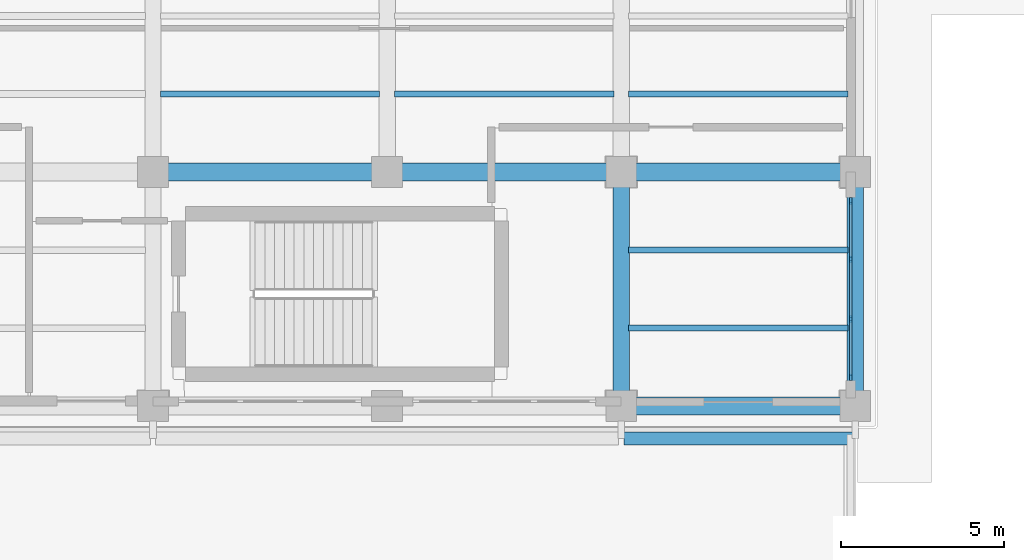
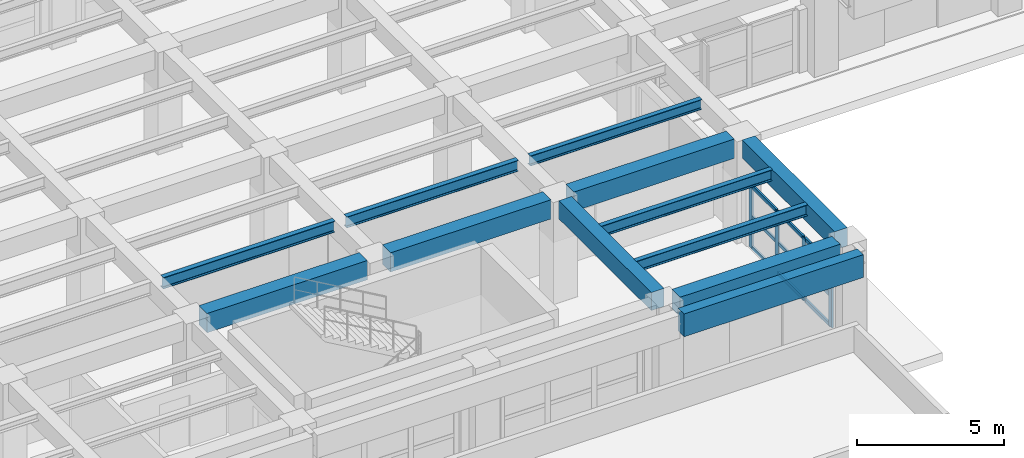
# One storey, part 13 of 64: 13 members, 12 beams, 1 element without a shape of its own.
"""IFC4 building model written with IfcOpenShell, lengths in metres."""

import ifcopenshell
import ifcopenshell.guid

model = None  # the IFC model being written
_history = None  # IfcOwnerHistory: only IFC2X3 demands one
_inside = {}  # id of a spatial element -> (the spatial element, [elements in it])
_under = {}  # id of a project, library or spatial element -> (it, [spatial elements below it])
_declared = {}  # id of a project -> (the project, [libraries it declares])
_typed = {}  # id of a type object -> (the type object, [elements of that type])
_made_of = {}  # id of a material, layer set ... -> (it, [elements and type objects made of it])


def new_model(schema):
    """Start an empty IFC model of exactly this schema.

    Asked for "IFC4X3", IfcOpenShell would pick the latest addendum, in which some entities
    have other attributes; the version numbers below select the first issue.
    IFC2X3 requires an IfcOwnerHistory on every rooted entity: one is made here for all.
    """
    global model, _history
    if schema == "IFC4X3":
        model = ifcopenshell.file(schema_version=(4, 3, 0, 0))
    else:
        model = ifcopenshell.file(schema=schema)
    _inside.clear()
    _under.clear()
    _declared.clear()
    _typed.clear()
    _made_of.clear()
    _history = None
    if model.schema == "IFC2X3":
        org = make("IfcOrganization", Name="unknown")
        user = make(
            "IfcPersonAndOrganization",
            ThePerson=make("IfcPerson", FamilyName="unknown"),
            TheOrganization=org,
        )
        app = make(
            "IfcApplication",
            ApplicationDeveloper=org,
            Version="unknown",
            ApplicationFullName="unknown",
            ApplicationIdentifier="unknown",
        )
        _history = make(
            "IfcOwnerHistory",
            OwningUser=user,
            OwningApplication=app,
            ChangeAction="ADDED",
            CreationDate=0,
        )
    return model


def make(cls, **values):
    """One entity of the class cls with the attributes given. An attribute that is None is left unset."""
    return model.create_entity(
        cls, **{name: value for name, value in values.items() if value is not None}
    )


def rooted(cls, **values):
    """An entity with a GlobalId (a new one), such as an element, a storey or a relation."""
    return make(cls, GlobalId=ifcopenshell.guid.new(), OwnerHistory=_history, **values)


def si_unit(unit_type, name, prefix=None):
    """IfcSIUnit, for example si_unit("LENGTHUNIT", "METRE", prefix="MILLI")."""
    return make("IfcSIUnit", UnitType=unit_type, Prefix=prefix, Name=name)


def assignment(units):
    """IfcUnitAssignment: the units of a project."""
    return None if units is None else make("IfcUnitAssignment", Units=units)


def point(xyz):
    """IfcCartesianPoint."""
    return None if xyz is None else make("IfcCartesianPoint", Coordinates=xyz)


def direction(xyz):
    """IfcDirection."""
    return None if xyz is None else make("IfcDirection", DirectionRatios=xyz)


def frame(location, z_axis=None, x_axis=None):
    """IfcAxis2Placement3D, a coordinate frame: its origin and axes. An axis left out is left unset."""
    return make(
        "IfcAxis2Placement3D",
        Location=point(location),
        Axis=direction(z_axis),
        RefDirection=direction(x_axis),
    )


def frame_2d(location, x_axis=None):
    """IfcAxis2Placement2D, a coordinate frame in the plane: its origin and x axis."""
    return make(
        "IfcAxis2Placement2D", Location=point(location), RefDirection=direction(x_axis)
    )


def origin():
    """The frame at (0, 0, 0) with its axes left unset."""
    return frame((0.0, 0.0, 0.0))


def origin_2d():
    """The frame at (0, 0) in the plane with its x axis left unset."""
    return frame_2d((0.0, 0.0))


def place(relative_to, where):
    """IfcLocalPlacement: puts the frame where relative to a parent placement (None: the world)."""
    return make(
        "IfcLocalPlacement", PlacementRelTo=relative_to, RelativePlacement=where
    )


def context(
    kind, dimensions, precision=None, world=None, true_north=None, identifier=None
):
    """IfcGeometricRepresentationContext, for example the 3D "Model" context."""
    return make(
        "IfcGeometricRepresentationContext",
        ContextIdentifier=identifier,
        ContextType=kind,
        CoordinateSpaceDimension=dimensions,
        Precision=precision,
        WorldCoordinateSystem=world,
        TrueNorth=true_north,
    )


def subcontext(parent, identifier, kind, view, scale=None):
    """IfcGeometricRepresentationSubContext, for example "Body" below "Model"."""
    return make(
        "IfcGeometricRepresentationSubContext",
        ContextIdentifier=identifier,
        ContextType=kind,
        ParentContext=parent,
        TargetScale=scale,
        TargetView=view,
    )


def project(units=None, contexts=None):
    """IfcProject with its units and contexts."""
    return rooted(
        "IfcProject",
        Name="project",
        RepresentationContexts=contexts,
        UnitsInContext=assignment(units),
    )


def spatial(cls, under=None, at=None, **own):
    """A site, building, storey or space (cls), placed at a placement, below another one or the project."""
    s = rooted(cls, ObjectPlacement=at, **own)
    if under is not None:
        _under.setdefault(under.id(), (under, []))[1].append(s)
    return s


def profile(cls, at=None, kind="AREA", **sizes):
    """A parametric profile (cls). Its sizes go by their IFC names, for example OverallWidth=200.0."""
    return make(cls, ProfileType=kind, Position=at, **sizes)


def rectangle(**sizes):
    """IfcRectangleProfileDef."""
    return profile("IfcRectangleProfileDef", **sizes)


def i_section(**sizes):
    """IfcIShapeProfileDef."""
    return profile("IfcIShapeProfileDef", **sizes)


def extrude(swept, where, along, depth):
    """IfcExtrudedAreaSolid: the profile swept, set in the frame where, extruded along a direction by depth."""
    return make(
        "IfcExtrudedAreaSolid",
        SweptArea=swept,
        Position=where,
        ExtrudedDirection=direction(along),
        Depth=depth,
    )


def shape(context_of_items, identifier, shape_type, items):
    """IfcShapeRepresentation: the items that make up one representation, for example the "Body"."""
    return make(
        "IfcShapeRepresentation",
        ContextOfItems=context_of_items,
        RepresentationIdentifier=identifier,
        RepresentationType=shape_type,
        Items=items,
    )


def material(Name=None, Category=None):
    """IfcMaterial."""
    return make("IfcMaterial", Name=Name, Category=Category)


def layer(
    of_material, thickness, ventilated=None, Name=None, Category=None, Priority=None
):
    """IfcMaterialLayer: one layer of a wall or slab, of a material (None: an air gap)."""
    return make(
        "IfcMaterialLayer",
        Material=of_material,
        LayerThickness=thickness,
        IsVentilated=ventilated,
        Name=Name,
        Category=Category,
        Priority=Priority,
    )


def layer_set(layers, Name=None):
    """IfcMaterialLayerSet."""
    return make("IfcMaterialLayerSet", MaterialLayers=layers, LayerSetName=Name)


def material_profile(
    of_material, cross_section, Name=None, Category=None, Priority=None
):
    """IfcMaterialProfile: a cross section and its material."""
    return make(
        "IfcMaterialProfile",
        Name=Name,
        Material=of_material,
        Profile=cross_section,
        Priority=Priority,
        Category=Category,
    )


def profile_set(profiles, Name=None, composite=None):
    """IfcMaterialProfileSet."""
    return make(
        "IfcMaterialProfileSet",
        Name=Name,
        MaterialProfiles=profiles,
        CompositeProfile=composite,
    )


def made_of(thing, what):
    """Note that an element or type object is made of a material, layer set ...; save() writes the relation."""
    if what is not None:
        _made_of.setdefault(what.id(), (what, []))[1].append(thing)
    return thing


def type_object(cls, material=None, **own):
    """A type object (cls), such as IfcWallType, which elements share."""
    return made_of(rooted(cls, **own), material)


def element(
    cls,
    number,
    at=None,
    inside=None,
    cuts=None,
    type_object=None,
    material=None,
    context=None,
    identifier="Body",
    shape_type=None,
    held_by="IfcProductDefinitionShape",
    body=None,
    shapes=None,
    **own,
):
    """One element of the class cls, such as IfcWall. Its Tag is "e" and its number.

    at: its placement. inside: the storey or other place that contains it. cuts: it is an
    opening in that element (IfcRelVoidsElement). A single representation is given by context,
    identifier, shape_type and body (its items); several are given by shapes. held_by: the class
    of the entity that holds the representations. save() writes the other relations.
    """
    e = rooted(cls, Tag="e%d" % number, ObjectPlacement=at, **own)
    if body is not None:
        shapes = [shape(context, identifier, shape_type, body)]
    if shapes is not None:
        e.Representation = make(held_by, Representations=shapes)
    if inside is not None:
        _inside.setdefault(inside.id(), (inside, []))[1].append(e)
    if cuts is not None:
        rooted(
            "IfcRelVoidsElement", RelatingBuildingElement=cuts, RelatedOpeningElement=e
        )
    if type_object is not None:
        _typed.setdefault(type_object.id(), (type_object, []))[1].append(e)
    return made_of(e, material)


def aggregate(whole, parts):
    """IfcRelAggregates: a whole, such as a stair, and the parts it consists of."""
    return rooted("IfcRelAggregates", RelatingObject=whole, RelatedObjects=parts)


def save(model, path):
    """Write the relations noted so far, then the file.

    IfcRelAggregates (storeys below a building ...), IfcRelContainedInSpatialStructure (elements
    in a storey), IfcRelDefinesByType, IfcRelAssociatesMaterial and IfcRelDeclares: one each for
    every whole, place, type object, material and project.
    """
    for whole, parts in _under.values():
        aggregate(whole, parts)
    for where, things in _inside.values():
        rooted(
            "IfcRelContainedInSpatialStructure",
            RelatedElements=things,
            RelatingStructure=where,
        )
    for kind, things in _typed.values():
        rooted("IfcRelDefinesByType", RelatedObjects=things, RelatingType=kind)
    for what, things in _made_of.values():
        rooted("IfcRelAssociatesMaterial", RelatedObjects=things, RelatingMaterial=what)
    for by, libraries in _declared.values():
        rooted("IfcRelDeclares", RelatingContext=by, RelatedDefinitions=libraries)
    model.write(path)


model = new_model("IFC4")

# Units and contexts
model_context = context("Model", 3, precision=1e-05, world=origin(), true_north=direction((0.0, 1.0)))
body_context = subcontext(model_context, "Body", "Model", "MODEL_VIEW")
ifc_project = project(units=[si_unit("LENGTHUNIT", "METRE"), si_unit("AREAUNIT", "SQUARE_METRE"), si_unit("VOLUMEUNIT", "CUBIC_METRE"), si_unit("PLANEANGLEUNIT", "RADIAN"), si_unit("MASSUNIT", "GRAM", prefix="KILO")], contexts=[model_context])

# Site, building, storey
site_placement = place(None, origin())
site = spatial("IfcSite", under=ifc_project, at=site_placement, CompositionType="ELEMENT")
building_placement = place(site_placement, origin())
building = spatial("IfcBuilding", under=site, at=building_placement, Name="Solenvale Faculty of Natural Sciences", CompositionType="ELEMENT")
storey_placement = place(building_placement, origin())
storey = spatial("IfcBuildingStorey", under=building, at=storey_placement, Name="L00", CompositionType="ELEMENT", Elevation=0.0)

# Beams
ifc_material_1 = material(Name="Concrete 40 MPa", Category="concrete")
ifc_material_profile_1 = material_profile(ifc_material_1, rectangle(XDim=0.5, YDim=0.75, at=origin_2d()), Name="RC-BM-500x750")
ifc_profile_set_1 = profile_set([ifc_material_profile_1], Name="Concrete 40 MPa")
beam_type_1 = type_object("IfcBeamType", Name="BM-RC-500x750", PredefinedType="BEAM", material=ifc_profile_set_1)
for number, where, z_axis, x_axis, name in (
    (1, (108.0, 22.054931640625, 3.844970703125), (0.0, 1.0, 0.0), (-1.0, 0.0, 0.0), "L00 Y-Girder X108.0 (21.6..28.8)"),
    (2, (115.199951171875, 22.054931640625, 3.844970703125), (0.0, 1.0, 0.0), (-1.0, 0.0, 0.0), "L00 Y-Girder X115.2 (21.6..28.8)"),
):
    element("IfcBeam", number, at=place(storey_placement, frame(where, z_axis=z_axis, x_axis=x_axis)), inside=storey, type_object=beam_type_1, Name=name, PredefinedType="BEAM", context=body_context, shape_type="SweptSolid", body=[
        extrude(rectangle(XDim=0.5, YDim=0.75, at=origin_2d()), origin(), (0.0, 0.0, 1.0), 6.2900390625),
    ])
ifc_material_profile_2 = material_profile(ifc_material_1, rectangle(XDim=0.550048828125, YDim=0.800048828125, at=origin_2d()), Name="RC-BM-550x800")
ifc_profile_set_2 = profile_set([ifc_material_profile_2], Name="Concrete 40 MPa")
beam_type_2 = type_object("IfcBeamType", Name="BM-RC-550x800", PredefinedType="BEAM", material=ifc_profile_set_2)
for number, where, z_axis, x_axis, name in (
    (3, (108.455078125, 21.60009765625, 3.820068359375), (1.0, 0.0, 0.0), (0.0, 1.0, 0.0), "L00 X-Girder Y21.6 (108.0..115.2)"),
    (4, (94.054931640625, 28.800048828125, 3.820068359375), (1.0, 0.0, 0.0), (0.0, 1.0, 0.0), "L00 X-Girder Y28.8 (93.6..100.8)"),
    (5, (101.2548828125, 28.800048828125, 3.820068359375), (1.0, 0.0, 0.0), (0.0, 1.0, 0.0), "L00 X-Girder Y28.8 (100.8..108.0)"),
    (6, (108.455078125, 28.800048828125, 3.820068359375), (1.0, 0.0, 0.0), (0.0, 1.0, 0.0), "L00 X-Girder Y28.8 (108.0..115.2)"),
):
    element("IfcBeam", number, at=place(storey_placement, frame(where, z_axis=z_axis, x_axis=x_axis)), inside=storey, type_object=beam_type_2, Name=name, PredefinedType="BEAM", context=body_context, shape_type="SweptSolid", body=[
        extrude(rectangle(XDim=0.550048828125, YDim=0.800048828125, at=origin_2d()), origin(), (0.0, 0.0, 1.0), 6.2900390625),
    ])
ifc_material_2 = material(Name="Architectural bronze concrete 40 MPa", Category="concrete")
ifc_material_profile_3 = material_profile(ifc_material_2, rectangle(XDim=0.39990234375, YDim=0.949951171875, at=origin_2d()), Name="RC-SPN-400x950")
ifc_profile_set_3 = profile_set([ifc_material_profile_3], Name="Architectural bronze concrete 40 MPa")
beam_type_3 = type_object("IfcBeamType", Name="BM-SPN-BRZ-950", PredefinedType="SPANDREL", material=ifc_profile_set_3)
beam_1_placement = place(storey_placement, frame((108.080078125, 20.60009765625, 3.7451171875), z_axis=(1.0, 0.0, 0.0), x_axis=(0.0, 1.0, 0.0)))
element("IfcBeam", 7, at=beam_1_placement, inside=storey, type_object=beam_type_3, Name="L01 Sliding-Tray South Bronze Fascia 6", PredefinedType="SPANDREL", context=body_context, shape_type="SweptSolid", body=[
    extrude(rectangle(XDim=0.39990234375, YDim=0.949951171875, at=origin_2d()), origin(), (0.0, 0.0, 1.0), 7.0400390625),
])
ifc_material_3 = material(Name="Steel S355", Category="steel")
ifc_material_profile_4 = material_profile(ifc_material_3, i_section(OverallWidth=0.180908203125, OverallDepth=0.4169921875, WebThickness=0.010986328125, FlangeThickness=0.018310546875, FilletRadius=0.01611328125, at=origin_2d()), Name="W410x85")
ifc_profile_set_4 = profile_set([ifc_material_profile_4], Name="Steel S355")
beam_type_4 = type_object("IfcBeamType", Name="BM-STL-W410x85", PredefinedType="JOIST", material=ifc_profile_set_4)
beam_2_placement = place(storey_placement, frame((108.22998046875, 31.199951171875, 4.011474609375), z_axis=(1.0, 0.0, 0.0), x_axis=(0.0, 1.0, 0.0)))
element("IfcBeam", 8, at=beam_2_placement, inside=storey, type_object=beam_type_4, Name="L00 Composite Floor Joist (16,5).1", PredefinedType="JOIST", context=body_context, shape_type="SweptSolid", body=[
    extrude(i_section(OverallWidth=0.180908203125, OverallDepth=0.4169921875, WebThickness=0.010986328125, FlangeThickness=0.018310546875, FilletRadius=0.01611328125, at=origin_2d()), origin(), (0.0, 0.0, 1.0), 6.739990234375),
])
ifc_material_profile_5 = material_profile(ifc_material_3, i_section(OverallWidth=0.194091796875, OverallDepth=0.468994140625, WebThickness=0.0126953125, FlangeThickness=0.0205078125, FilletRadius=0.01806640625, at=origin_2d()), Name="W460x106")
ifc_profile_set_5 = profile_set([ifc_material_profile_5], Name="Steel S355")
beam_type_5 = type_object("IfcBeamType", Name="BM-STL-W460x106", PredefinedType="JOIST", material=ifc_profile_set_5)
beam_3_placement = place(storey_placement, frame((93.830078125, 31.199951171875, 3.985595703125), z_axis=(1.0, 0.0, 0.0), x_axis=(0.0, 1.0, 0.0)))
element("IfcBeam", 9, at=beam_3_placement, inside=storey, type_object=beam_type_5, Name="L00 Composite Floor Joist (14,5).1", PredefinedType="JOIST", context=body_context, shape_type="SweptSolid", body=[
    extrude(i_section(OverallWidth=0.194091796875, OverallDepth=0.468994140625, WebThickness=0.0126953125, FlangeThickness=0.0205078125, FilletRadius=0.01806640625, at=origin_2d()), origin(), (0.0, 0.0, 1.0), 6.739990234375),
])
ifc_material_profile_6 = material_profile(ifc_material_3, i_section(OverallWidth=0.19091796875, OverallDepth=0.4599609375, WebThickness=0.010009765625, FlangeThickness=0.01611328125, FilletRadius=0.01806640625, at=origin_2d()), Name="W460x82")
ifc_profile_set_6 = profile_set([ifc_material_profile_6], Name="Steel S355")
beam_type_6 = type_object("IfcBeamType", Name="BM-STL-W460x82", PredefinedType="JOIST", material=ifc_profile_set_6)
for number, where, z_axis, x_axis, name in (
    (10, (101.030029296875, 31.199951171875, 3.989990234375), (1.0, 0.0, 0.0), (0.0, 1.0, 0.0), "L00 Composite Floor Joist (15,5).1"),
    (11, (108.22998046875, 24.0, 3.989990234375), (1.0, 0.0, 0.0), (0.0, 1.0, 0.0), "L00 Composite Floor Joist (16,4).1"),
    (12, (108.22998046875, 26.39990234375, 3.989990234375), (1.0, 0.0, 0.0), (0.0, 1.0, 0.0), "L00 Composite Floor Joist (16,4).2"),
):
    element("IfcBeam", number, at=place(storey_placement, frame(where, z_axis=z_axis, x_axis=x_axis)), inside=storey, type_object=beam_type_6, Name=name, PredefinedType="JOIST", context=body_context, shape_type="SweptSolid", body=[
        extrude(i_section(OverallWidth=0.19091796875, OverallDepth=0.4599609375, WebThickness=0.010009765625, FlangeThickness=0.01611328125, FilletRadius=0.01806640625, at=origin_2d()), origin(), (0.0, 0.0, 1.0), 6.739990234375),
    ])

# Curtain wall, members
ifc_material_4 = material(Name="Anodised bronze aluminium", Category="aluminium")
ifc_layer = layer(ifc_material_4, 0.179931640625)
ifc_layer_set = layer_set([ifc_layer], Name="Anodised bronze aluminium")
curtain_wall_type = type_object("IfcCurtainWallType", Name="CW-TWR-MOD", PredefinedType="USERDEFINED", material=ifc_layer_set)
curtain_wall_placement = place(storey_placement, origin())
curtain_wall = element("IfcCurtainWall", 13, at=curtain_wall_placement, inside=storey, type_object=curtain_wall_type, Name="L00 Curtain Wall CW-L00-P1-E4-B1", ObjectType="UNITISED CURTAIN WALL", PredefinedType="USERDEFINED")
ifc_material_profile_7 = material_profile(ifc_material_4, rectangle(XDim=0.074951171875, YDim=0.2099609375, at=origin_2d()), Name="ALU-MUL-75x210")
ifc_profile_set_7 = profile_set([ifc_material_profile_7], Name="Anodised bronze aluminium")
member_type_1 = type_object("IfcMemberType", Name="CWM-ALU-75x210", PredefinedType="MULLION", material=ifc_profile_set_7)
member_1_placement = place(storey_placement, frame((115.0576171875, 22.487548828125, 0.0), z_axis=(0.0, 0.0, 1.0), x_axis=(-1.0, 0.0, 0.0)))
member_1 = element("IfcMember", 14, at=member_1_placement, type_object=member_type_1, Name="CW-04 mullion 1", PredefinedType="MULLION", context=body_context, shape_type="SweptSolid", body=[
    extrude(rectangle(XDim=0.074951171875, YDim=0.2099609375, at=origin_2d()), origin(), (0.0, 0.0, 1.0), 2.60009765625),
])
member_2_placement = place(storey_placement, frame((115.0576171875, 24.283447265625, 0.0), z_axis=(0.0, 0.0, 1.0), x_axis=(-1.0, 0.0, 0.0)))
member_2 = element("IfcMember", 15, at=member_2_placement, type_object=member_type_1, Name="CW-04 mullion 2", PredefinedType="MULLION", context=body_context, shape_type="SweptSolid", body=[
    extrude(rectangle(XDim=0.074951171875, YDim=0.2099609375, at=origin_2d()), origin(), (0.0, 0.0, 1.0), 2.60009765625),
])
member_3_placement = place(storey_placement, frame((115.0576171875, 26.11669921875, 0.0), z_axis=(0.0, 0.0, 1.0), x_axis=(-1.0, 0.0, 0.0)))
member_3 = element("IfcMember", 16, at=member_3_placement, type_object=member_type_1, Name="CW-04 mullion 3", PredefinedType="MULLION", context=body_context, shape_type="SweptSolid", body=[
    extrude(rectangle(XDim=0.074951171875, YDim=0.2099609375, at=origin_2d()), origin(), (0.0, 0.0, 1.0), 2.60009765625),
])
member_4_placement = place(storey_placement, frame((115.0576171875, 27.91259765625, 0.0), z_axis=(0.0, 0.0, 1.0), x_axis=(-1.0, 0.0, 0.0)))
member_4 = element("IfcMember", 17, at=member_4_placement, type_object=member_type_1, Name="CW-04 mullion 4", PredefinedType="MULLION", context=body_context, shape_type="SweptSolid", body=[
    extrude(rectangle(XDim=0.074951171875, YDim=0.2099609375, at=origin_2d()), origin(), (0.0, 0.0, 1.0), 2.60009765625),
])
ifc_material_profile_8 = material_profile(ifc_material_4, rectangle(XDim=0.074951171875, YDim=0.155029296875, at=origin_2d()), Name="ALU-TRN-75x155")
ifc_profile_set_8 = profile_set([ifc_material_profile_8], Name="Anodised bronze aluminium")
member_type_2 = type_object("IfcMemberType", Name="CWT-ALU-75x155", PredefinedType="USERDEFINED", material=ifc_profile_set_8)
member_5_placement = place(storey_placement, frame((115.0576171875, 22.52490234375, 0.03759765625), z_axis=(0.0, 1.0, 0.0), x_axis=(-1.0, 0.0, 0.0)))
member_5 = element("IfcMember", 18, at=member_5_placement, type_object=member_type_2, Name="CW-04 transom 1.1", ObjectType="TRANSOM", PredefinedType="USERDEFINED", context=body_context, shape_type="SweptSolid", body=[
    extrude(rectangle(XDim=0.074951171875, YDim=0.155029296875, at=origin_2d()), origin(), (0.0, 0.0, 1.0), 1.720947265625),
])
member_6_placement = place(storey_placement, frame((115.0576171875, 22.52490234375, 1.300048828125), z_axis=(0.0, 1.0, 0.0), x_axis=(-1.0, 0.0, 0.0)))
member_6 = element("IfcMember", 19, at=member_6_placement, type_object=member_type_2, Name="CW-04 transom 1.2", ObjectType="TRANSOM", PredefinedType="USERDEFINED", context=body_context, shape_type="SweptSolid", body=[
    extrude(rectangle(XDim=0.074951171875, YDim=0.155029296875, at=origin_2d()), origin(), (0.0, 0.0, 1.0), 1.720947265625),
])
member_7_placement = place(storey_placement, frame((115.0576171875, 22.52490234375, 2.5625), z_axis=(0.0, 1.0, 0.0), x_axis=(-1.0, 0.0, 0.0)))
member_7 = element("IfcMember", 20, at=member_7_placement, type_object=member_type_2, Name="CW-04 transom 1.3", ObjectType="TRANSOM", PredefinedType="USERDEFINED", context=body_context, shape_type="SweptSolid", body=[
    extrude(rectangle(XDim=0.074951171875, YDim=0.155029296875, at=origin_2d()), origin(), (0.0, 0.0, 1.0), 1.720947265625),
])
member_8_placement = place(storey_placement, frame((115.0576171875, 24.32080078125, 0.03759765625), z_axis=(0.0, 1.0, 0.0), x_axis=(-1.0, 0.0, 0.0)))
member_8 = element("IfcMember", 21, at=member_8_placement, type_object=member_type_2, Name="CW-04 transom 2.1", ObjectType="TRANSOM", PredefinedType="USERDEFINED", context=body_context, shape_type="SweptSolid", body=[
    extrude(rectangle(XDim=0.074951171875, YDim=0.155029296875, at=origin_2d()), origin(), (0.0, 0.0, 1.0), 1.75830078125),
])
member_9_placement = place(storey_placement, frame((115.0576171875, 24.32080078125, 1.300048828125), z_axis=(0.0, 1.0, 0.0), x_axis=(-1.0, 0.0, 0.0)))
member_9 = element("IfcMember", 22, at=member_9_placement, type_object=member_type_2, Name="CW-04 transom 2.2", ObjectType="TRANSOM", PredefinedType="USERDEFINED", context=body_context, shape_type="SweptSolid", body=[
    extrude(rectangle(XDim=0.074951171875, YDim=0.155029296875, at=origin_2d()), origin(), (0.0, 0.0, 1.0), 1.75830078125),
])
member_10_placement = place(storey_placement, frame((115.0576171875, 24.32080078125, 2.5625), z_axis=(0.0, 1.0, 0.0), x_axis=(-1.0, 0.0, 0.0)))
member_10 = element("IfcMember", 23, at=member_10_placement, type_object=member_type_2, Name="CW-04 transom 2.3", ObjectType="TRANSOM", PredefinedType="USERDEFINED", context=body_context, shape_type="SweptSolid", body=[
    extrude(rectangle(XDim=0.074951171875, YDim=0.155029296875, at=origin_2d()), origin(), (0.0, 0.0, 1.0), 1.75830078125),
])
member_11_placement = place(storey_placement, frame((115.0576171875, 26.154052734375, 0.03759765625), z_axis=(0.0, 1.0, 0.0), x_axis=(-1.0, 0.0, 0.0)))
member_11 = element("IfcMember", 24, at=member_11_placement, type_object=member_type_2, Name="CW-04 transom 3.1", ObjectType="TRANSOM", PredefinedType="USERDEFINED", context=body_context, shape_type="SweptSolid", body=[
    extrude(rectangle(XDim=0.074951171875, YDim=0.155029296875, at=origin_2d()), origin(), (0.0, 0.0, 1.0), 1.720947265625),
])
member_12_placement = place(storey_placement, frame((115.0576171875, 26.154052734375, 1.300048828125), z_axis=(0.0, 1.0, 0.0), x_axis=(-1.0, 0.0, 0.0)))
member_12 = element("IfcMember", 25, at=member_12_placement, type_object=member_type_2, Name="CW-04 transom 3.2", ObjectType="TRANSOM", PredefinedType="USERDEFINED", context=body_context, shape_type="SweptSolid", body=[
    extrude(rectangle(XDim=0.074951171875, YDim=0.155029296875, at=origin_2d()), origin(), (0.0, 0.0, 1.0), 1.720947265625),
])
member_13_placement = place(storey_placement, frame((115.0576171875, 26.154052734375, 2.5625), z_axis=(0.0, 1.0, 0.0), x_axis=(-1.0, 0.0, 0.0)))
member_13 = element("IfcMember", 26, at=member_13_placement, type_object=member_type_2, Name="CW-04 transom 3.3", ObjectType="TRANSOM", PredefinedType="USERDEFINED", context=body_context, shape_type="SweptSolid", body=[
    extrude(rectangle(XDim=0.074951171875, YDim=0.155029296875, at=origin_2d()), origin(), (0.0, 0.0, 1.0), 1.720947265625),
])
aggregate(curtain_wall, [member_1, member_2, member_3, member_4, member_5, member_6, member_7, member_8, member_9, member_10, member_11, member_12, member_13])

save(model, "model.ifc")
